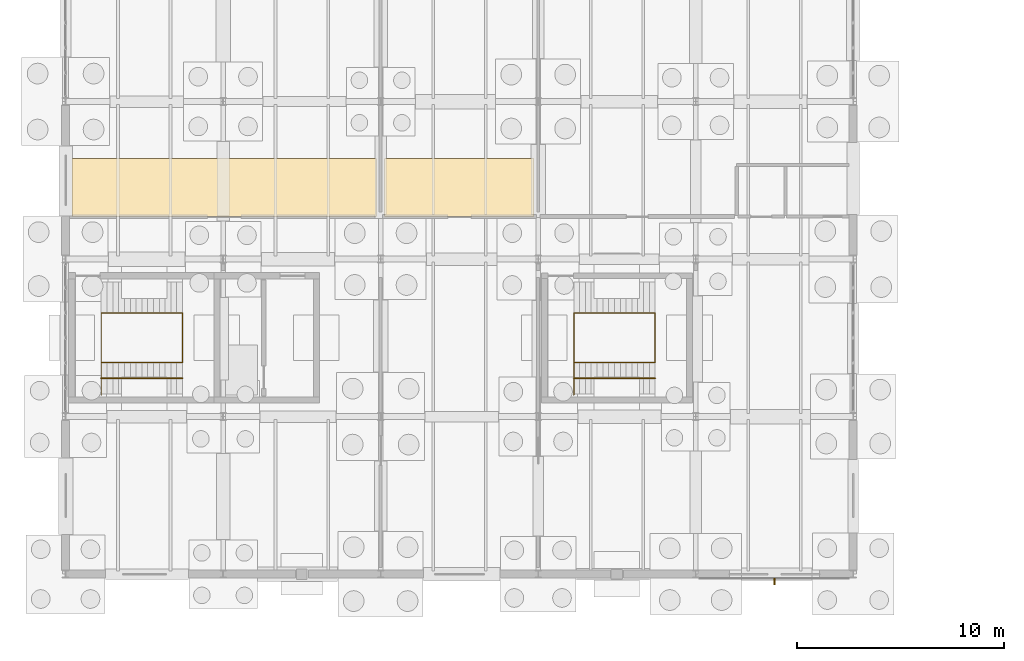
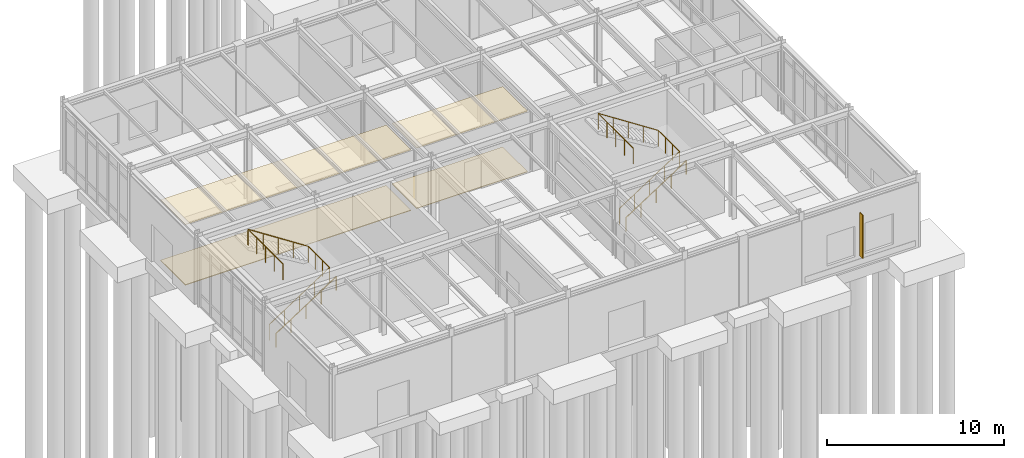
# One storey, part 97 of 109: 4 coverings, 4 railings, 1 shading device.
"""IFC4 building model written with IfcOpenShell, lengths in metres."""

from ifc_helpers import new_model, si_unit, direction, frame, origin, origin_2d, place, context, subcontext, project, spatial, polyline, rectangle, circle, outline, extrude, material, layer, layer_set, type_object, element, save


model = new_model("IFC4")

# Units and contexts
model_context = context("Model", 3, precision=1e-05, world=origin(), true_north=direction((0.0, 1.0)))
body_context = subcontext(model_context, "Body", "Model", "MODEL_VIEW")
ifc_project = project(units=[si_unit("LENGTHUNIT", "METRE"), si_unit("AREAUNIT", "SQUARE_METRE"), si_unit("VOLUMEUNIT", "CUBIC_METRE"), si_unit("PLANEANGLEUNIT", "RADIAN"), si_unit("MASSUNIT", "GRAM", prefix="KILO")], contexts=[model_context])

# Site, building, storey
site_placement = place(None, origin())
site = spatial("IfcSite", under=ifc_project, at=site_placement, CompositionType="ELEMENT")
building_placement = place(site_placement, origin())
building = spatial("IfcBuilding", under=site, at=building_placement, Name="Montecoro Central Library", CompositionType="ELEMENT")
storey_placement = place(building_placement, origin())
storey = spatial("IfcBuildingStorey", under=building, at=storey_placement, Name="L00", CompositionType="ELEMENT", Elevation=0.0)

# Coverings
ifc_material_1 = material(Name="Acoustic perforated mineral ceiling")
ifc_layer_1 = layer(ifc_material_1, 0.031982421875)
ifc_layer_set_1 = layer_set([ifc_layer_1], Name="Acoustic perforated mineral ceiling")
covering_type_1 = type_object("IfcCoveringType", Name="COV-CLG-02", PredefinedType="CEILING", material=ifc_layer_set_1)
covering_1_placement = place(storey_placement, frame((0.0, 0.0, 4.16796875)))
element("IfcCovering", 1, at=covering_1_placement, inside=storey, type_object=covering_type_1, Name="CLG-SP-V3-L00-R2P2", PredefinedType="CEILING", context=body_context, shape_type="SweptSolid", body=[
    extrude(outline(polyline([(20.389892578125, 22.25), (27.610107421875, 22.25), (27.610107421875, 25.050048828125), (20.389892578125, 25.050048828125), (20.389892578125, 22.25)])), origin(), (0.0, 0.0, 1.0), 0.031982421875),
])
ifc_layer_2 = layer(ifc_material_1, 0.0400390625)
ifc_layer_set_2 = layer_set([ifc_layer_2], Name="Acoustic perforated mineral ceiling")
covering_type_2 = type_object("IfcCoveringType", Name="COV-CLG-03", PredefinedType="CEILING", material=ifc_layer_set_2)
covering_2_placement = place(storey_placement, frame((0.0, 0.0, 4.159912109375)))
element("IfcCovering", 2, at=covering_2_placement, inside=storey, type_object=covering_type_2, Name="CLG-SP-V3-L00-R1P1", PredefinedType="CEILING", context=body_context, shape_type="SweptSolid", body=[
    extrude(outline(polyline([(5.320068359375, 22.25), (20.010009765625, 22.25), (20.010009765625, 25.050048828125), (5.320068359375, 25.050048828125), (5.320068359375, 22.25)])), origin(), (0.0, 0.0, 1.0), 0.0400390625),
])
ifc_material_2 = material(Name="Neapolitan brass-inlaid terrazzo flooring")
ifc_layer_3 = layer(ifc_material_2, 0.035888671875)
ifc_layer_set_3 = layer_set([ifc_layer_3], Name="Neapolitan brass-inlaid terrazzo flooring")
covering_type_3 = type_object("IfcCoveringType", Name="COV-FLR-02", PredefinedType="FLOORING", material=ifc_layer_set_3)
covering_3_placement = place(storey_placement, origin())
element("IfcCovering", 3, at=covering_3_placement, inside=storey, type_object=covering_type_3, Name="FLR-SP-V3-L00-R2P2", PredefinedType="FLOORING", context=body_context, shape_type="SweptSolid", body=[
    extrude(outline(polyline([(20.389892578125, 22.25), (27.610107421875, 22.25), (27.610107421875, 25.050048828125), (20.389892578125, 25.050048828125), (20.389892578125, 22.25)])), origin(), (0.0, 0.0, 1.0), 0.035888671875),
])
ifc_layer_4 = layer(ifc_material_2, 0.0439453125)
ifc_layer_set_4 = layer_set([ifc_layer_4], Name="Neapolitan brass-inlaid terrazzo flooring")
covering_type_4 = type_object("IfcCoveringType", Name="COV-FLR-03", PredefinedType="FLOORING", material=ifc_layer_set_4)
covering_4_placement = place(storey_placement, origin())
element("IfcCovering", 4, at=covering_4_placement, inside=storey, type_object=covering_type_4, Name="FLR-SP-V3-L00-R1P1", PredefinedType="FLOORING", context=body_context, shape_type="SweptSolid", body=[
    extrude(outline(polyline([(5.320068359375, 22.25), (20.010009765625, 22.25), (20.010009765625, 25.050048828125), (5.320068359375, 25.050048828125), (5.320068359375, 22.25)])), origin(), (0.0, 0.0, 1.0), 0.0439453125),
])

# Railings
ifc_material_3 = material(Name="Brushed stainless steel and bronze balustrade", Category="steel")
railing_type_1 = type_object("IfcRailingType", Name="GRD-INT-110", PredefinedType="GUARDRAIL", material=ifc_material_3)
railing_1_placement = place(storey_placement, frame((6.719970703125, 15.199951171875, 0.0)))
element("IfcRailing", 5, at=railing_1_placement, inside=storey, type_object=railing_type_1, Name="C4-L00-STR-GRD", PredefinedType="GUARDRAIL", context=body_context, shape_type="SweptSolid", body=[
    extrude(circle(Radius=0.02392578125, at=origin_2d()), frame((0.0, 0.0, 1.09619140625), z_axis=(0.838238398293, 0.0, 0.545303940594), x_axis=(0.0, 1.0, 0.0)), (0.0, 0.0, 1.0), 4.67626953125),
    extrude(circle(Radius=0.02392578125, at=origin_2d()), frame((3.919921875, 0.0, 3.64599609375), z_axis=(0.0, 1.0, 0.0), x_axis=(-1.0, 0.0, 0.0)), (0.0, 0.0, 1.0), 2.400146484375),
    extrude(circle(Radius=0.02392578125, at=origin_2d()), frame((3.919921875, 2.400146484375, 3.64599609375), z_axis=(-0.838238398293, 0.0, 0.545303940594), x_axis=(0.0, -1.0, 0.0)), (0.0, 0.0, 1.0), 4.67626953125),
    extrude(circle(Radius=0.02392578125, at=origin_2d()), frame((0.0, 2.400146484375, 6.1962890625), z_axis=(0.0, -1.0, 0.0), x_axis=(1.0, 0.0, 0.0)), (0.0, 0.0, 1.0), 3.9501953125),
    extrude(circle(Radius=0.02099609375, at=origin_2d()), origin(), (0.0, 0.0, 1.0), 1.072021484375),
    extrude(circle(Radius=0.02099609375, at=origin_2d()), frame((0.97998046875, 0.0, 0.637451171875)), (0.0, 0.0, 1.0), 1.072021484375),
    extrude(circle(Radius=0.02099609375, at=origin_2d()), frame((1.9599609375, 0.0, 1.27490234375)), (0.0, 0.0, 1.0), 1.072021484375),
    extrude(circle(Radius=0.02099609375, at=origin_2d()), frame((2.93994140625, 0.0, 1.91259765625)), (0.0, 0.0, 1.0), 1.072021484375),
    extrude(circle(Radius=0.02099609375, at=origin_2d()), frame((3.919921875, 0.0, 2.550048828125)), (0.0, 0.0, 1.0), 1.072021484375),
    extrude(circle(Radius=0.02099609375, at=origin_2d()), frame((3.919921875, 0.800048828125, 2.550048828125)), (0.0, 0.0, 1.0), 1.072021484375),
    extrude(circle(Radius=0.02099609375, at=origin_2d()), frame((3.919921875, 1.60009765625, 2.550048828125)), (0.0, 0.0, 1.0), 1.072021484375),
    extrude(circle(Radius=0.02099609375, at=origin_2d()), frame((3.919921875, 2.400146484375, 2.550048828125)), (0.0, 0.0, 1.0), 1.072021484375),
    extrude(circle(Radius=0.02099609375, at=origin_2d()), frame((2.93994140625, 2.400146484375, 3.1875)), (0.0, 0.0, 1.0), 1.072021484375),
    extrude(circle(Radius=0.02099609375, at=origin_2d()), frame((1.9599609375, 2.400146484375, 3.8251953125)), (0.0, 0.0, 1.0), 1.072021484375),
    extrude(circle(Radius=0.02099609375, at=origin_2d()), frame((0.97998046875, 2.400146484375, 4.462646484375)), (0.0, 0.0, 1.0), 1.072021484375),
    extrude(circle(Radius=0.02099609375, at=origin_2d()), frame((0.0, 2.400146484375, 5.10009765625)), (0.0, 0.0, 1.0), 1.072021484375),
    extrude(circle(Radius=0.02099609375, at=origin_2d()), frame((0.0, 1.41259765625, 5.10009765625)), (0.0, 0.0, 1.0), 1.072021484375),
    extrude(circle(Radius=0.02099609375, at=origin_2d()), frame((0.0, 0.425048828125, 5.10009765625)), (0.0, 0.0, 1.0), 1.072021484375),
    extrude(circle(Radius=0.02099609375, at=origin_2d()), frame((0.0, -0.5625, 5.10009765625)), (0.0, 0.0, 1.0), 1.072021484375),
    extrude(circle(Radius=0.02099609375, at=origin_2d()), frame((0.0, -1.550048828125, 5.10009765625)), (0.0, 0.0, 1.0), 1.072021484375),
])
railing_2_placement = place(storey_placement, frame((29.52001953125, 15.199951171875, 0.0)))
element("IfcRailing", 6, at=railing_2_placement, inside=storey, type_object=railing_type_1, Name="C11-L00-STR-GRD", PredefinedType="GUARDRAIL", context=body_context, shape_type="SweptSolid", body=[
    extrude(circle(Radius=0.02392578125, at=origin_2d()), frame((0.0, 0.0, 1.09619140625), z_axis=(0.838238398293, 0.0, 0.545303940594), x_axis=(0.0, 1.0, 0.0)), (0.0, 0.0, 1.0), 4.67626953125),
    extrude(circle(Radius=0.02392578125, at=origin_2d()), frame((3.919921875, 0.0, 3.64599609375), z_axis=(0.0, 1.0, 0.0), x_axis=(-1.0, 0.0, 0.0)), (0.0, 0.0, 1.0), 2.400146484375),
    extrude(circle(Radius=0.02392578125, at=origin_2d()), frame((3.919921875, 2.400146484375, 3.64599609375), z_axis=(-0.838238398293, 0.0, 0.545303940594), x_axis=(0.0, -1.0, 0.0)), (0.0, 0.0, 1.0), 4.67626953125),
    extrude(circle(Radius=0.02392578125, at=origin_2d()), frame((0.0, 2.400146484375, 6.1962890625), z_axis=(0.0, -1.0, 0.0), x_axis=(1.0, 0.0, 0.0)), (0.0, 0.0, 1.0), 3.9501953125),
    extrude(circle(Radius=0.02099609375, at=origin_2d()), origin(), (0.0, 0.0, 1.0), 1.072021484375),
    extrude(circle(Radius=0.02099609375, at=origin_2d()), frame((0.97998046875, 0.0, 0.637451171875)), (0.0, 0.0, 1.0), 1.072021484375),
    extrude(circle(Radius=0.02099609375, at=origin_2d()), frame((1.9599609375, 0.0, 1.27490234375)), (0.0, 0.0, 1.0), 1.072021484375),
    extrude(circle(Radius=0.02099609375, at=origin_2d()), frame((2.93994140625, 0.0, 1.91259765625)), (0.0, 0.0, 1.0), 1.072021484375),
    extrude(circle(Radius=0.02099609375, at=origin_2d()), frame((3.919921875, 0.0, 2.550048828125)), (0.0, 0.0, 1.0), 1.072021484375),
    extrude(circle(Radius=0.02099609375, at=origin_2d()), frame((3.919921875, 0.800048828125, 2.550048828125)), (0.0, 0.0, 1.0), 1.072021484375),
    extrude(circle(Radius=0.02099609375, at=origin_2d()), frame((3.919921875, 1.60009765625, 2.550048828125)), (0.0, 0.0, 1.0), 1.072021484375),
    extrude(circle(Radius=0.02099609375, at=origin_2d()), frame((3.919921875, 2.400146484375, 2.550048828125)), (0.0, 0.0, 1.0), 1.072021484375),
    extrude(circle(Radius=0.02099609375, at=origin_2d()), frame((2.93994140625, 2.400146484375, 3.1875)), (0.0, 0.0, 1.0), 1.072021484375),
    extrude(circle(Radius=0.02099609375, at=origin_2d()), frame((1.9599609375, 2.400146484375, 3.8251953125)), (0.0, 0.0, 1.0), 1.072021484375),
    extrude(circle(Radius=0.02099609375, at=origin_2d()), frame((0.97998046875, 2.400146484375, 4.462646484375)), (0.0, 0.0, 1.0), 1.072021484375),
    extrude(circle(Radius=0.02099609375, at=origin_2d()), frame((0.0, 2.400146484375, 5.10009765625)), (0.0, 0.0, 1.0), 1.072021484375),
    extrude(circle(Radius=0.02099609375, at=origin_2d()), frame((0.0, 1.41259765625, 5.10009765625)), (0.0, 0.0, 1.0), 1.072021484375),
    extrude(circle(Radius=0.02099609375, at=origin_2d()), frame((0.0, 0.425048828125, 5.10009765625)), (0.0, 0.0, 1.0), 1.072021484375),
    extrude(circle(Radius=0.02099609375, at=origin_2d()), frame((0.0, -0.5625, 5.10009765625)), (0.0, 0.0, 1.0), 1.072021484375),
    extrude(circle(Radius=0.02099609375, at=origin_2d()), frame((0.0, -1.550048828125, 5.10009765625)), (0.0, 0.0, 1.0), 1.072021484375),
])
ifc_material_4 = material(Name="Brushed architectural bronze handrail")
railing_type_2 = type_object("IfcRailingType", Name="HRL-STR-095", PredefinedType="HANDRAIL", material=ifc_material_4)
for number, where, name in (
    (7, (6.719970703125, 14.449951171875, 0.0), "C4-L00-STR-HR1"),
    (8, (29.52001953125, 14.449951171875, 0.0), "C11-L00-STR-HR1"),
):
    element("IfcRailing", number, at=place(storey_placement, frame(where)), inside=storey, type_object=railing_type_2, Name=name, PredefinedType="HANDRAIL", context=body_context, shape_type="SweptSolid", body=[
        extrude(circle(Radius=0.02392578125, at=origin_2d()), frame((0.0, 0.0, 0.92578125), z_axis=(0.838238398293, 0.0, 0.545303940594), x_axis=(0.0, 1.0, 0.0)), (0.0, 0.0, 1.0), 4.67626953125),
        extrude(circle(Radius=0.02099609375, at=origin_2d()), origin(), (0.0, 0.0, 1.0), 0.90185546875),
        extrude(circle(Radius=0.02099609375, at=origin_2d()), frame((0.97998046875, 0.0, 0.637451171875)), (0.0, 0.0, 1.0), 0.90185546875),
        extrude(circle(Radius=0.02099609375, at=origin_2d()), frame((1.9599609375, 0.0, 1.27490234375)), (0.0, 0.0, 1.0), 0.90185546875),
        extrude(circle(Radius=0.02099609375, at=origin_2d()), frame((2.93994140625, 0.0, 1.91259765625)), (0.0, 0.0, 1.0), 0.90185546875),
        extrude(circle(Radius=0.02099609375, at=origin_2d()), frame((3.919921875, 0.0, 2.550048828125)), (0.0, 0.0, 1.0), 0.90185546875),
    ])

# Shading device
ifc_material_5 = material(Name="Architectural bronze solar fin", Category="aluminium")
shading_device_type = type_object("IfcShadingDeviceType", Name="SHD-FIN-02", PredefinedType="USERDEFINED", material=ifc_material_5)
shading_device_placement = place(storey_placement, frame((39.199951171875, 4.6494140625, 0.75), z_axis=(0.0, 0.0, 1.0), x_axis=(1.0, 0.0, 0.0)))
element("IfcShadingDevice", 9, at=shading_device_placement, inside=storey, type_object=shading_device_type, Name="V3-L00-FIN-S4", ObjectType="SOLAR FIN", PredefinedType="USERDEFINED", context=body_context, shape_type="SweptSolid", body=[
    extrude(rectangle(XDim=0.06005859375, YDim=0.320068359375, at=origin_2d()), origin(), (0.0, 0.0, 1.0), 3.0),
])

save(model, "model.ifc")
